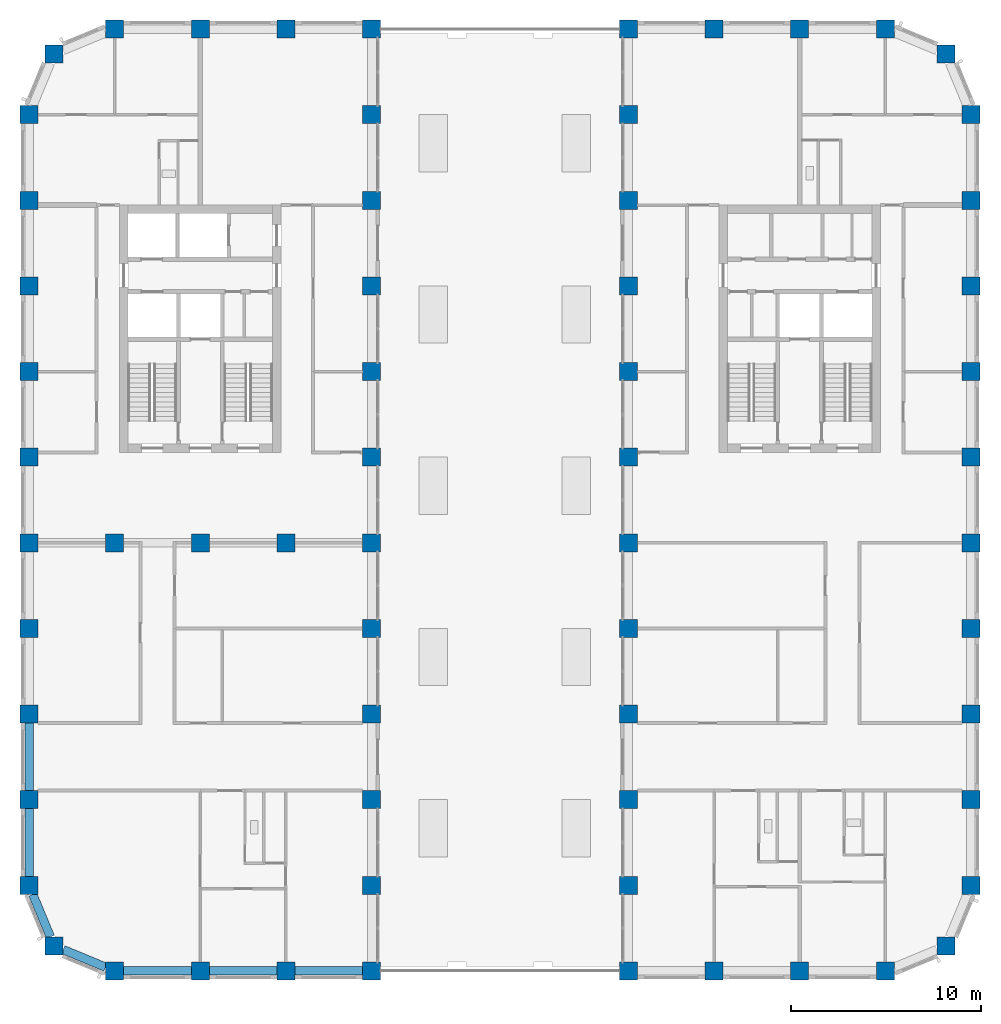
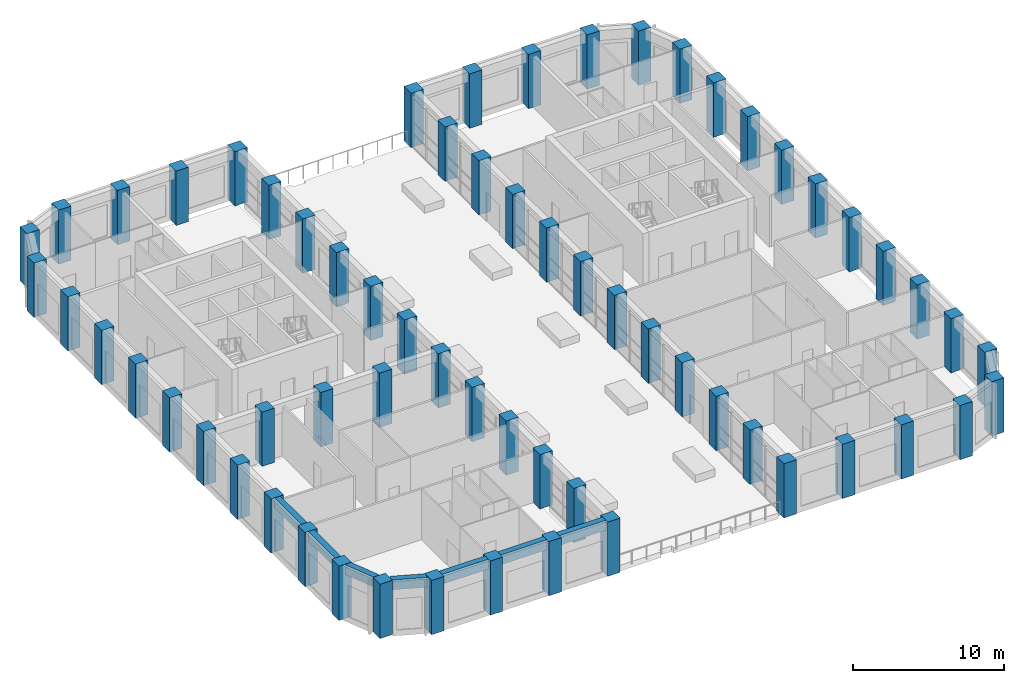
# One storey, part 1 of 20: 63 columns, 7 beams.
"""IFC4 building model written with IfcOpenShell, lengths in metres."""

from ifc_helpers import new_model, si_unit, direction, frame, origin, origin_2d, place, context, subcontext, project, spatial, rectangle, extrude, material, material_profile, profile_set, type_object, element, save


model = new_model("IFC4")

# Units and contexts
model_context = context("Model", 3, precision=1e-05, world=origin(), true_north=direction((0.0, 1.0)))
body_context = subcontext(model_context, "Body", "Model", "MODEL_VIEW")
ifc_project = project(units=[si_unit("LENGTHUNIT", "METRE"), si_unit("AREAUNIT", "SQUARE_METRE"), si_unit("VOLUMEUNIT", "CUBIC_METRE"), si_unit("PLANEANGLEUNIT", "RADIAN"), si_unit("MASSUNIT", "GRAM", prefix="KILO")], contexts=[model_context])

# Site, building, storey
site_placement = place(None, origin())
site = spatial("IfcSite", under=ifc_project, at=site_placement, CompositionType="ELEMENT")
building_placement = place(site_placement, origin())
building = spatial("IfcBuilding", under=site, at=building_placement, Name="Girih Gate Residences", CompositionType="ELEMENT")
storey_placement = place(building_placement, frame((0.0, 0.0, 146.199951171875)))
storey = spatial("IfcBuildingStorey", under=building, at=storey_placement, Name="L41", CompositionType="ELEMENT", Elevation=146.199951171875)

# Columns
ifc_material_1 = material(Name="Concrete C70/85", Category="concrete")
ifc_material_profile_1 = material_profile(ifc_material_1, rectangle(XDim=0.949951171875, YDim=0.949951171875, at=origin_2d()))
ifc_profile_set_1 = profile_set([ifc_material_profile_1], Name="Concrete C70/85")
column_type = type_object("IfcColumnType", Name="Pier RC 950x950 Concrete C70/85", PredefinedType="COLUMN", material=ifc_profile_set_1)
for number, where, z_axis, x_axis, name in (
    (1, (4.5, 0.0, 0.0), (0.0, 0.0, 1.0), (1.0, 0.0, 0.0), "Pier P2A L41"),
    (2, (9.0, 0.0, 0.0), (0.0, 0.0, 1.0), (1.0, 0.0, 0.0), "Pier P3A L41"),
    (3, (13.5, 0.0, 0.0), (0.0, 0.0, 1.0), (1.0, 0.0, 0.0), "Pier P4A L41"),
    (4, (18.0, 0.0, 0.0), (0.0, 0.0, 1.0), (1.0, 0.0, 0.0), "Pier P5A L41"),
    (5, (31.5, 0.0, 0.0), (0.0, 0.0, 1.0), (1.0, 0.0, 0.0), "Pier P8A L41"),
    (6, (36.0, 0.0, 0.0), (0.0, 0.0, 1.0), (1.0, 0.0, 0.0), "Pier P9A L41"),
    (7, (40.5, 0.0, 0.0), (0.0, 0.0, 1.0), (1.0, 0.0, 0.0), "Pier P10A L41"),
    (8, (45.0, 0.0, 0.0), (0.0, 0.0, 1.0), (1.0, 0.0, 0.0), "Pier P11A L41"),
    (9, (1.318115234375, 1.318115234375, 0.0), (0.0, 0.0, 1.0), (1.0, 0.0, 0.0), "Pier P1ANE L41"),
    (10, (48.181884765625, 1.318115234375, 0.0), (0.0, 0.0, 1.0), (1.0, 0.0, 0.0), "Pier P12ANW L41"),
    (11, (0.0, 4.5, 0.0), (0.0, 0.0, 1.0), (1.0, 0.0, 0.0), "Pier P1B L41"),
    (12, (18.0, 4.5, 0.0), (0.0, 0.0, 1.0), (1.0, 0.0, 0.0), "Pier P5B L41"),
    (13, (31.5, 4.5, 0.0), (0.0, 0.0, 1.0), (1.0, 0.0, 0.0), "Pier P8B L41"),
    (14, (49.5, 4.5, 0.0), (0.0, 0.0, 1.0), (1.0, 0.0, 0.0), "Pier P12B L41"),
    (15, (0.0, 9.0, 0.0), (0.0, 0.0, 1.0), (1.0, 0.0, 0.0), "Pier P1C L41"),
    (16, (18.0, 9.0, 0.0), (0.0, 0.0, 1.0), (1.0, 0.0, 0.0), "Pier P5C L41"),
    (17, (31.5, 9.0, 0.0), (0.0, 0.0, 1.0), (1.0, 0.0, 0.0), "Pier P8C L41"),
    (18, (49.5, 9.0, 0.0), (0.0, 0.0, 1.0), (1.0, 0.0, 0.0), "Pier P12C L41"),
    (19, (0.0, 13.5, 0.0), (0.0, 0.0, 1.0), (1.0, 0.0, 0.0), "Pier P1D L41"),
    (20, (18.0, 13.5, 0.0), (0.0, 0.0, 1.0), (1.0, 0.0, 0.0), "Pier P5D L41"),
    (21, (31.5, 13.5, 0.0), (0.0, 0.0, 1.0), (1.0, 0.0, 0.0), "Pier P8D L41"),
    (22, (49.5, 13.5, 0.0), (0.0, 0.0, 1.0), (1.0, 0.0, 0.0), "Pier P12D L41"),
    (23, (0.0, 18.0, 0.0), (0.0, 0.0, 1.0), (1.0, 0.0, 0.0), "Pier P1E L41"),
    (24, (18.0, 18.0, 0.0), (0.0, 0.0, 1.0), (1.0, 0.0, 0.0), "Pier P5E L41"),
    (25, (31.5, 18.0, 0.0), (0.0, 0.0, 1.0), (1.0, 0.0, 0.0), "Pier P8E L41"),
    (26, (49.5, 18.0, 0.0), (0.0, 0.0, 1.0), (1.0, 0.0, 0.0), "Pier P12E L41"),
    (27, (0.0, 22.5, 0.0), (0.0, 0.0, 1.0), (1.0, 0.0, 0.0), "Pier P1F L41"),
    (28, (4.5, 22.5, 0.0), (0.0, 0.0, 1.0), (1.0, 0.0, 0.0), "Pier P2F L41"),
    (29, (9.0, 22.5, 0.0), (0.0, 0.0, 1.0), (1.0, 0.0, 0.0), "Pier P3F L41"),
    (30, (13.5, 22.5, 0.0), (0.0, 0.0, 1.0), (1.0, 0.0, 0.0), "Pier P4F L41"),
    (31, (18.0, 22.5, 0.0), (0.0, 0.0, 1.0), (1.0, 0.0, 0.0), "Pier P5F L41"),
    (32, (31.5, 22.5, 0.0), (0.0, 0.0, 1.0), (1.0, 0.0, 0.0), "Pier P8F L41"),
    (33, (49.5, 22.5, 0.0), (0.0, 0.0, 1.0), (1.0, 0.0, 0.0), "Pier P12F L41"),
    (34, (0.0, 27.0, 0.0), (0.0, 0.0, 1.0), (1.0, 0.0, 0.0), "Pier P1G L41"),
    (35, (18.0, 27.0, 0.0), (0.0, 0.0, 1.0), (1.0, 0.0, 0.0), "Pier P5G L41"),
    (36, (31.5, 27.0, 0.0), (0.0, 0.0, 1.0), (1.0, 0.0, 0.0), "Pier P8G L41"),
    (37, (49.5, 27.0, 0.0), (0.0, 0.0, 1.0), (1.0, 0.0, 0.0), "Pier P12G L41"),
    (38, (0.0, 31.5, 0.0), (0.0, 0.0, 1.0), (1.0, 0.0, 0.0), "Pier P1H L41"),
    (39, (18.0, 31.5, 0.0), (0.0, 0.0, 1.0), (1.0, 0.0, 0.0), "Pier P5H L41"),
    (40, (31.5, 31.5, 0.0), (0.0, 0.0, 1.0), (1.0, 0.0, 0.0), "Pier P8H L41"),
    (41, (49.5, 31.5, 0.0), (0.0, 0.0, 1.0), (1.0, 0.0, 0.0), "Pier P12H L41"),
    (42, (0.0, 36.0, 0.0), (0.0, 0.0, 1.0), (1.0, 0.0, 0.0), "Pier P1I L41"),
    (43, (18.0, 36.0, 0.0), (0.0, 0.0, 1.0), (1.0, 0.0, 0.0), "Pier P5I L41"),
    (44, (31.5, 36.0, 0.0), (0.0, 0.0, 1.0), (1.0, 0.0, 0.0), "Pier P8I L41"),
    (45, (49.5, 36.0, 0.0), (0.0, 0.0, 1.0), (1.0, 0.0, 0.0), "Pier P12I L41"),
    (46, (0.0, 40.5, 0.0), (0.0, 0.0, 1.0), (1.0, 0.0, 0.0), "Pier P1J L41"),
    (47, (18.0, 40.5, 0.0), (0.0, 0.0, 1.0), (1.0, 0.0, 0.0), "Pier P5J L41"),
    (48, (31.5, 40.5, 0.0), (0.0, 0.0, 1.0), (1.0, 0.0, 0.0), "Pier P8J L41"),
    (49, (49.5, 40.5, 0.0), (0.0, 0.0, 1.0), (1.0, 0.0, 0.0), "Pier P12J L41"),
    (50, (0.0, 45.0, 0.0), (0.0, 0.0, 1.0), (1.0, 0.0, 0.0), "Pier P1K L41"),
    (51, (18.0, 45.0, 0.0), (0.0, 0.0, 1.0), (1.0, 0.0, 0.0), "Pier P5K L41"),
    (52, (31.5, 45.0, 0.0), (0.0, 0.0, 1.0), (1.0, 0.0, 0.0), "Pier P8K L41"),
    (53, (49.5, 45.0, 0.0), (0.0, 0.0, 1.0), (1.0, 0.0, 0.0), "Pier P12K L41"),
    (54, (1.318115234375, 48.181884765625, 0.0), (0.0, 0.0, 1.0), (1.0, 0.0, 0.0), "Pier P1LSE L41"),
    (55, (48.181884765625, 48.181884765625, 0.0), (0.0, 0.0, 1.0), (1.0, 0.0, 0.0), "Pier P12LSW L41"),
    (56, (4.5, 49.5, 0.0), (0.0, 0.0, 1.0), (1.0, 0.0, 0.0), "Pier P2L L41"),
    (57, (9.0, 49.5, 0.0), (0.0, 0.0, 1.0), (1.0, 0.0, 0.0), "Pier P3L L41"),
    (58, (13.5, 49.5, 0.0), (0.0, 0.0, 1.0), (1.0, 0.0, 0.0), "Pier P4L L41"),
    (59, (18.0, 49.5, 0.0), (0.0, 0.0, 1.0), (1.0, 0.0, 0.0), "Pier P5L L41"),
    (60, (31.5, 49.5, 0.0), (0.0, 0.0, 1.0), (1.0, 0.0, 0.0), "Pier P8L L41"),
    (61, (36.0, 49.5, 0.0), (0.0, 0.0, 1.0), (1.0, 0.0, 0.0), "Pier P9L L41"),
    (62, (40.5, 49.5, 0.0), (0.0, 0.0, 1.0), (1.0, 0.0, 0.0), "Pier P10L L41"),
    (63, (45.0, 49.5, 0.0), (0.0, 0.0, 1.0), (1.0, 0.0, 0.0), "Pier P11L L41"),
):
    element("IfcColumn", number, at=place(storey_placement, frame(where, z_axis=z_axis, x_axis=x_axis)), inside=storey, type_object=column_type, Name=name, PredefinedType="COLUMN", context=body_context, shape_type="SweptSolid", body=[
        extrude(rectangle(XDim=0.949951171875, YDim=0.949951171875, at=origin_2d()), origin(), (0.0, 0.0, 1.0), 4.400146484375),
    ])

# Beams
ifc_material_2 = material(Name="Concrete C60/75", Category="concrete")
ifc_material_profile_2 = material_profile(ifc_material_2, rectangle(XDim=0.449951171875, YDim=0.800048828125, at=origin_2d()))
ifc_profile_set_2 = profile_set([ifc_material_profile_2], Name="Concrete C60/75")
beam_type = type_object("IfcBeamType", Name="Spandrel girder RC 450x800 Concrete C60/75", PredefinedType="BEAM", material=ifc_profile_set_2)
for number, where, z_axis, x_axis, name in (
    (64, (0.0, 13.02490234375, 4.0), (0.0, -1.0, 0.0), (1.0, 0.0, 0.0), "Spandrel girder SP-P1D-P1C L41"),
    (65, (0.0, 8.52490234375, 4.0), (0.0, -1.0, 0.0), (1.0, 0.0, 0.0), "Spandrel girder SP-P1C-P1B L41"),
):
    element("IfcBeam", number, at=place(storey_placement, frame(where, z_axis=z_axis, x_axis=x_axis)), inside=storey, type_object=beam_type, Name=name, PredefinedType="BEAM", context=body_context, shape_type="SweptSolid", body=[
        extrude(rectangle(XDim=0.449951171875, YDim=0.800048828125, at=origin_2d()), origin(), (0.0, 0.0, 1.0), 3.5498046875),
    ])
for number, where, z_axis, x_axis, name in (
    (66, (0.19677734375, 4.02490234375, 4.0), (0.382705825988, -0.923870256451, 0.0), (0.923870256451, 0.382705825988, 0.0), "Spandrel girder SP-P1B-P1ANE L41"),
    (67, (1.79296875, 1.121337890625, 4.0), (0.923870256451, -0.382705825988, 0.0), (0.382705825988, 0.923870256451, 0.0), "Spandrel girder SP-P1ANE-P2A L41"),
):
    element("IfcBeam", number, at=place(storey_placement, frame(where, z_axis=z_axis, x_axis=x_axis)), inside=storey, type_object=beam_type, Name=name, PredefinedType="BEAM", context=body_context, shape_type="SweptSolid", body=[
        extrude(rectangle(XDim=0.449951171875, YDim=0.800048828125, at=origin_2d()), origin(), (0.0, 0.0, 1.0), 2.415771484375),
    ])
for number, where, z_axis, x_axis, name in (
    (68, (4.97509765625, 0.0, 4.0), (1.0, 0.0, 0.0), (0.0, 1.0, 0.0), "Spandrel girder SP-P2A-P3A L41"),
    (69, (9.47509765625, 0.0, 4.0), (1.0, 0.0, 0.0), (0.0, 1.0, 0.0), "Spandrel girder SP-P3A-P4A L41"),
    (70, (13.97509765625, 0.0, 4.0), (1.0, 0.0, 0.0), (0.0, 1.0, 0.0), "Spandrel girder SP-P4A-P5A L41"),
):
    element("IfcBeam", number, at=place(storey_placement, frame(where, z_axis=z_axis, x_axis=x_axis)), inside=storey, type_object=beam_type, Name=name, PredefinedType="BEAM", context=body_context, shape_type="SweptSolid", body=[
        extrude(rectangle(XDim=0.449951171875, YDim=0.800048828125, at=origin_2d()), origin(), (0.0, 0.0, 1.0), 3.5498046875),
    ])

save(model, "model.ifc")
